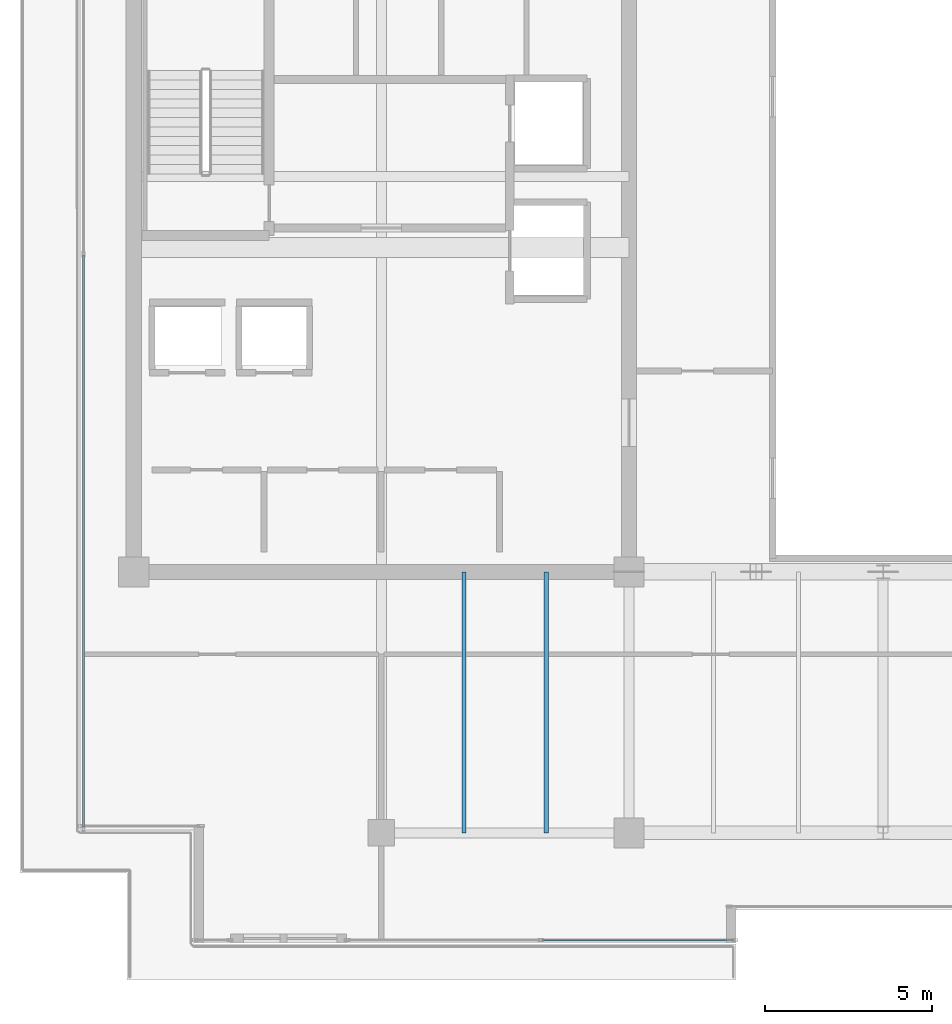
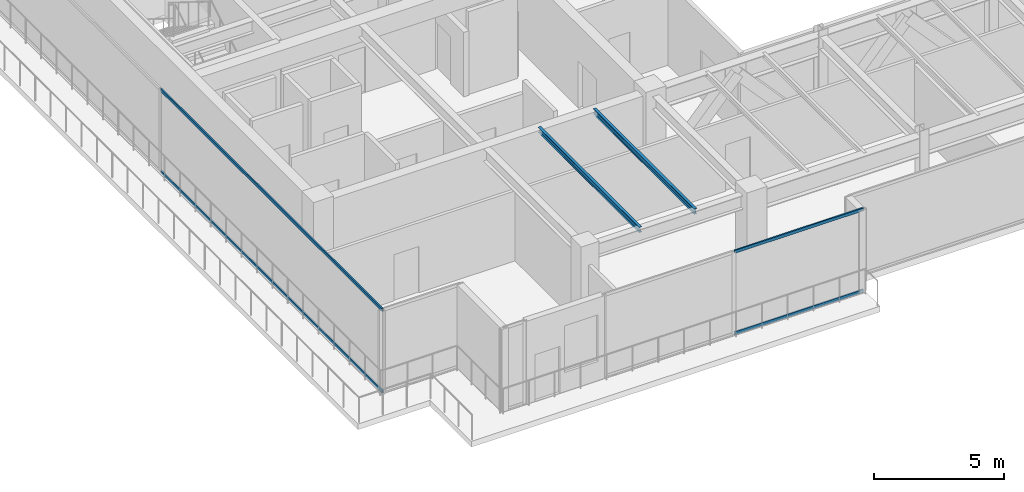
# One storey, part 5 of 34: 4 members, 2 beams, 2 elements without a shape of their own.
"""IFC4 building model written with IfcOpenShell, lengths in metres."""

from ifc_helpers import new_model, si_unit, direction, frame, origin, origin_2d, place, context, subcontext, project, spatial, hollow_rectangle, i_section, extrude, source, transform, mapped, material, layer, layer_set, material_profile, profile_set, type_object, type_shapes, element, aggregate, save


model = new_model("IFC4")

# Units and contexts
model_context = context("Model", 3, precision=1e-05, world=origin(), true_north=direction((0.0, 1.0)))
body_context = subcontext(model_context, "Body", "Model", "MODEL_VIEW")
ifc_project = project(units=[si_unit("LENGTHUNIT", "METRE"), si_unit("AREAUNIT", "SQUARE_METRE"), si_unit("VOLUMEUNIT", "CUBIC_METRE"), si_unit("PLANEANGLEUNIT", "RADIAN"), si_unit("MASSUNIT", "GRAM", prefix="KILO")], contexts=[model_context])

# Site, building, storey
site_placement = place(None, origin())
site = spatial("IfcSite", under=ifc_project, at=site_placement, CompositionType="ELEMENT")
building_placement = place(site_placement, origin())
building = spatial("IfcBuilding", under=site, at=building_placement, Name="Haelvirn Gate Laboratories", CompositionType="ELEMENT")
storey_placement = place(building_placement, frame((0.0, 0.0, 297.60009765625)))
storey = spatial("IfcBuildingStorey", under=building, at=storey_placement, Name="L71", CompositionType="ELEMENT", Elevation=297.60009765625)

# Beams
ifc_material_1 = material(Name="Steel SM355", Category="steel")
ifc_material_profile_1 = material_profile(ifc_material_1, i_section(OverallWidth=0.125, OverallDepth=0.25, WebThickness=0.006103515625, FlangeThickness=0.009033203125, at=origin_2d()), Name="H-250x125x6x9")
ifc_profile_set_1 = profile_set([ifc_material_profile_1], Name="Steel SM355")
beam_type = type_object("IfcBeamType", Name="BM-J-250", PredefinedType="JOIST", material=ifc_profile_set_1)
shared_shape_1 = source(origin(), body_context, "Body", "SweptSolid", [
    extrude(i_section(OverallWidth=0.125, OverallDepth=0.25, WebThickness=0.006103515625, FlangeThickness=0.009033203125, at=origin_2d()), origin(), (0.0, 0.0, 1.0), 7.800048828125),
])
type_shapes(beam_type, [shared_shape_1])
for number, where, z_axis, x_axis, name in (
    (1, (17.27001953125, 7.0, 3.77490234375), (0.0, 1.0, 0.0), (-1.0, 0.0, 0.0), "L71 Composite Lab Joist South X17.27"),
    (2, (19.72998046875, 7.0, 3.77490234375), (0.0, 1.0, 0.0), (-1.0, 0.0, 0.0), "L71 Composite Lab Joist South X19.73"),
):
    element("IfcBeam", number, at=place(storey_placement, frame(where, z_axis=z_axis, x_axis=x_axis)), inside=storey, type_object=beam_type, Name=name, PredefinedType="JOIST", context=body_context, shape_type="MappedRepresentation", body=[
        mapped(shared_shape_1, transform((0.0, 0.0, 0.0), scale=1.0)),
    ])

# Curtain wall, members
ifc_material_2 = material(Name="Anodised bronze unitised aluminium & triple low-E glass", Category="aluminium")
ifc_layer = layer(ifc_material_2, 0.176025390625, Name="CW-SYS-4")
ifc_layer_set = layer_set([ifc_layer], Name="Anodised bronze unitised aluminium & triple low-E glass")
curtain_wall_type = type_object("IfcCurtainWallType", Name="CW-SYS-4", PredefinedType="NOTDEFINED", material=ifc_layer_set)
curtain_wall_1_placement = place(storey_placement, origin())
curtain_wall_1 = element("IfcCurtainWall", 3, at=curtain_wall_1_placement, inside=storey, type_object=curtain_wall_type, Name="L71 Unitised Curtain Wall CW-L71-P0-E00-2", PredefinedType="NOTDEFINED")
ifc_material_3 = material(Name="Extruded aluminium 6063-T6 (anodised bronze)", Category="aluminium")
ifc_material_profile_2 = material_profile(ifc_material_3, hollow_rectangle(XDim=0.06494140625, YDim=0.139892578125, WallThickness=0.00390625, at=origin_2d()), Name="CWT-140x65x4")
ifc_profile_set_2 = profile_set([ifc_material_profile_2], Name="Extruded aluminium 6063-T6 (anodised bronze)")
member_type = type_object("IfcMemberType", Name="CWT-T140", PredefinedType="USERDEFINED", material=ifc_profile_set_2)
shared_shape_2 = source(origin(), body_context, "Body", "SweptSolid", [
    extrude(hollow_rectangle(XDim=0.06494140625, YDim=0.139892578125, WallThickness=0.00390625, at=origin_2d()), origin(), (0.0, 0.0, 1.0), 5.72265625),
])
member_1_placement = place(storey_placement, frame((19.607421875, 3.800048828125, 0.032470703125), z_axis=(1.0, 0.0, 0.0), x_axis=(0.0, 1.0, 0.0)))
member_1 = element("IfcMember", 4, at=member_1_placement, type_object=member_type, Name="CW4 transom 2.1", ObjectType="TRANSOM", PredefinedType="USERDEFINED", context=body_context, shape_type="MappedRepresentation", body=[
    mapped(shared_shape_2, transform((0.0, 0.0, 0.0), scale=1.0)),
])
member_2_placement = place(storey_placement, frame((19.607421875, 3.800048828125, 3.867431640625), z_axis=(1.0, 0.0, 0.0), x_axis=(0.0, 1.0, 0.0)))
member_2 = element("IfcMember", 5, at=member_2_placement, type_object=member_type, Name="CW4 transom 2.2", ObjectType="TRANSOM", PredefinedType="USERDEFINED", context=body_context, shape_type="MappedRepresentation", body=[
    mapped(shared_shape_2, transform((0.0, 0.0, 0.0), scale=1.0)),
])
aggregate(curtain_wall_1, [member_1, member_2])

curtain_wall_2_placement = place(storey_placement, origin())
curtain_wall_2 = element("IfcCurtainWall", 6, at=curtain_wall_2_placement, inside=storey, type_object=curtain_wall_type, Name="L71 Unitised Curtain Wall CW-L71-P0-E17", PredefinedType="NOTDEFINED")
shared_shape_3 = source(origin(), body_context, "Body", "SweptSolid", [
    extrude(hollow_rectangle(XDim=0.06494140625, YDim=0.139892578125, WallThickness=0.00390625, at=origin_2d()), origin(), (0.0, 0.0, 1.0), 17.094970703125),
])
type_shapes(member_type, [shared_shape_2, shared_shape_3])
member_3_placement = place(storey_placement, frame((5.89990234375, 24.264892578125, 0.032470703125), z_axis=(0.0, -1.0, 0.0), x_axis=(1.0, 0.0, 0.0)))
member_3 = element("IfcMember", 7, at=member_3_placement, type_object=member_type, Name="CW4 transom 2.1", ObjectType="TRANSOM", PredefinedType="USERDEFINED", context=body_context, shape_type="MappedRepresentation", body=[
    mapped(shared_shape_3, transform((0.0, 0.0, 0.0), scale=1.0)),
])
member_4_placement = place(storey_placement, frame((5.89990234375, 24.264892578125, 3.867431640625), z_axis=(0.0, -1.0, 0.0), x_axis=(1.0, 0.0, 0.0)))
member_4 = element("IfcMember", 8, at=member_4_placement, type_object=member_type, Name="CW4 transom 2.2", ObjectType="TRANSOM", PredefinedType="USERDEFINED", context=body_context, shape_type="MappedRepresentation", body=[
    mapped(shared_shape_3, transform((0.0, 0.0, 0.0), scale=1.0)),
])
aggregate(curtain_wall_2, [member_3, member_4])

save(model, "model.ifc")
